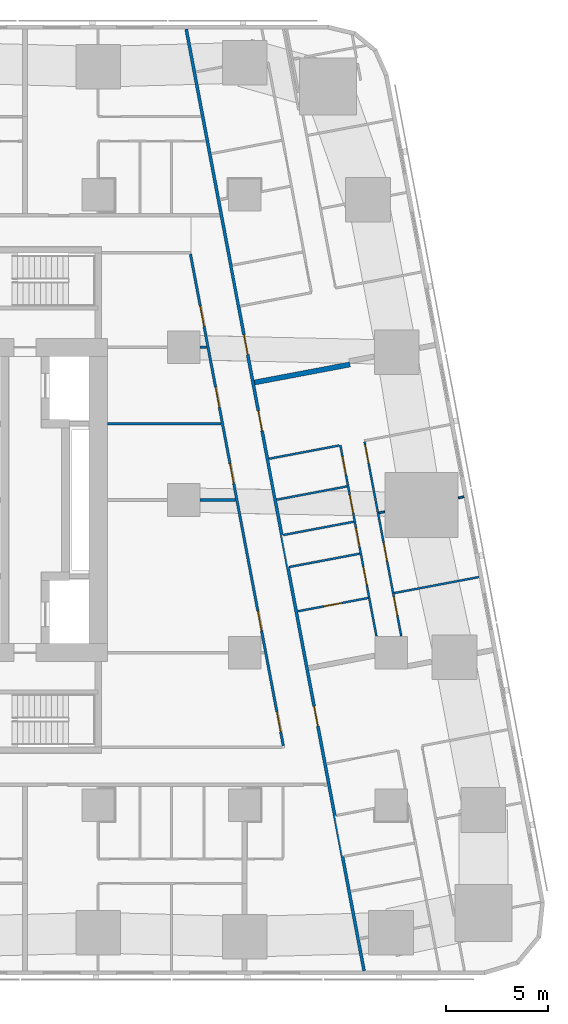
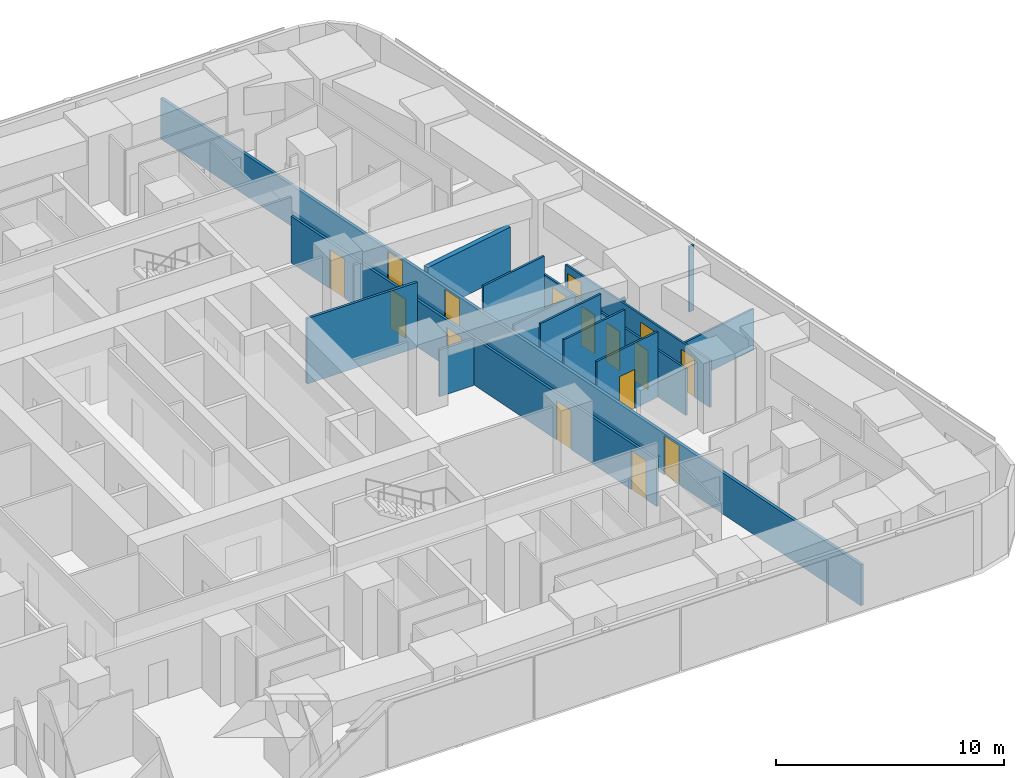
# One storey, part 8 of 16: 16 doors, 16 walls, 16 openings.
"""IFC4 building model written with IfcOpenShell, lengths in metres."""

from ifc_helpers import new_model, si_unit, direction, frame, frame_2d, origin, place, context, subcontext, project, spatial, rectangle, extrude, material, layer, layer_set, type_object, element, fill, save


model = new_model("IFC4")

# Units and contexts
model_context = context("Model", 3, precision=1e-05, world=origin(), true_north=direction((0.0, 1.0)))
body_context = subcontext(model_context, "Body", "Model", "MODEL_VIEW")
ifc_project = project(units=[si_unit("LENGTHUNIT", "METRE"), si_unit("AREAUNIT", "SQUARE_METRE"), si_unit("VOLUMEUNIT", "CUBIC_METRE"), si_unit("PLANEANGLEUNIT", "RADIAN"), si_unit("MASSUNIT", "GRAM", prefix="KILO")], contexts=[model_context])

# Site, building, storey
site_placement = place(None, origin())
site = spatial("IfcSite", under=ifc_project, at=site_placement, CompositionType="ELEMENT")
building_placement = place(site_placement, origin())
building = spatial("IfcBuilding", under=site, at=building_placement, Name="Sheger Commons Tower", CompositionType="ELEMENT")
storey_placement = place(building_placement, frame((0.0, 0.0, 89.14990234375)))
storey = spatial("IfcBuildingStorey", under=building, at=storey_placement, Name="L22", CompositionType="ELEMENT", Elevation=89.14990234375)

# Wall, openings, doors
ifc_material_1 = material(Name="Hollow concrete block masonry, skimmed both sides", Category="masonry")
ifc_layer_1 = layer(ifc_material_1, 0.14990234375)
ifc_layer_set_1 = layer_set([ifc_layer_1], Name="CORRIDOR WALL 150")
wall_type_1 = type_object("IfcWallType", Name="CORRIDOR WALL 150", PredefinedType="SOLIDWALL", material=ifc_layer_set_1)
wall_1_placement = place(storey_placement, frame((33.126953125, 45.64990234375, 0.0), z_axis=(0.0, 0.0, 1.0), x_axis=(0.185598547723, -0.98262565562, 0.0)))
wall_1 = element("IfcWall", 1, at=wall_1_placement, inside=storey, type_object=wall_type_1, Name="Corridor wall L22", PredefinedType="SOLIDWALL", context=body_context, shape_type="SweptSolid", body=[
    extrude(rectangle(XDim=47.118408203125, YDim=0.14990234375, at=frame_2d((23.55908203125, 0.0))), origin(), (0.0, 0.0, 1.0), 2.2001953125),
])
opening_1_placement = place(wall_1_placement, frame((15.284912109375, 0.0, 0.0)))
opening_1 = element("IfcOpeningElement", 2, at=opening_1_placement, cuts=wall_1, Name="Opening D1", PredefinedType="OPENING", context=body_context, shape_type="SweptSolid", body=[
    extrude(rectangle(XDim=1.0, YDim=2.10009765625, at=frame_2d((0.5, 1.050048828125))), frame((0.0, 0.0849609375, 0.0), z_axis=(0.0, -1.0, 0.0), x_axis=(1.0, 0.0, 0.0)), (0.0, 0.0, 1.0), 0.169921875),
])
opening_2_placement = place(wall_1_placement, frame((19.10205078125, 0.0, 0.0)))
opening_2 = element("IfcOpeningElement", 3, at=opening_2_placement, cuts=wall_1, Name="Opening D1", PredefinedType="OPENING", context=body_context, shape_type="SweptSolid", body=[
    extrude(rectangle(XDim=1.0, YDim=2.10009765625, at=frame_2d((0.5, 1.050048828125))), frame((0.0, 0.0849609375, 0.0), z_axis=(0.0, -1.0, 0.0), x_axis=(1.0, 0.0, 0.0)), (0.0, 0.0, 1.0), 0.169921875),
])
opening_3_placement = place(wall_1_placement, frame((33.8798828125, 0.0, 0.0)))
opening_3 = element("IfcOpeningElement", 4, at=opening_3_placement, cuts=wall_1, Name="Opening D1", PredefinedType="OPENING", context=body_context, shape_type="SweptSolid", body=[
    extrude(rectangle(XDim=1.0, YDim=2.10009765625, at=frame_2d((0.5, 1.050048828125))), frame((0.0, 0.0849609375, 0.0), z_axis=(0.0, -1.0, 0.0), x_axis=(1.0, 0.0, 0.0)), (0.0, 0.0, 1.0), 0.169921875),
])
ifc_material_2 = material(Name="Steel door set, fire rated", Category="steel")
door_type_1 = type_object("IfcDoorType", Name="FLAT ENTRANCE DOOR 1000x2100", OperationType="NOTDEFINED", PredefinedType="DOOR", material=ifc_material_2)
door_1_placement = place(opening_1_placement, origin())
door_1 = element("IfcDoor", 5, at=door_1_placement, inside=storey, type_object=door_type_1, Name="Flat entrance door", OperationType="SINGLE_SWING_LEFT", OverallHeight=2.10009765625, OverallWidth=1.0, PredefinedType="DOOR", context=body_context, shape_type="SweptSolid", body=[
    extrude(rectangle(XDim=1.0, YDim=2.10009765625, at=frame_2d((0.5, 1.050048828125))), frame((0.0, 0.02490234375, 0.0), z_axis=(0.0, -1.0, 0.0), x_axis=(1.0, 0.0, 0.0)), (0.0, 0.0, 1.0), 0.050048828125),
])
fill(opening_1, door_1)
door_2_placement = place(opening_2_placement, origin())
door_2 = element("IfcDoor", 6, at=door_2_placement, inside=storey, type_object=door_type_1, Name="Flat entrance door", OperationType="SINGLE_SWING_LEFT", OverallHeight=2.10009765625, OverallWidth=1.0, PredefinedType="DOOR", context=body_context, shape_type="SweptSolid", body=[
    extrude(rectangle(XDim=1.0, YDim=2.10009765625, at=frame_2d((0.5, 1.050048828125))), frame((0.0, 0.02490234375, 0.0), z_axis=(0.0, -1.0, 0.0), x_axis=(1.0, 0.0, 0.0)), (0.0, 0.0, 1.0), 0.050048828125),
])
fill(opening_2, door_2)
door_3_placement = place(opening_3_placement, origin())
door_3 = element("IfcDoor", 7, at=door_3_placement, inside=storey, type_object=door_type_1, Name="Flat entrance door", OperationType="SINGLE_SWING_LEFT", OverallHeight=2.10009765625, OverallWidth=1.0, PredefinedType="DOOR", context=body_context, shape_type="SweptSolid", body=[
    extrude(rectangle(XDim=1.0, YDim=2.10009765625, at=frame_2d((0.5, 1.050048828125))), frame((0.0, 0.02490234375, 0.0), z_axis=(0.0, -1.0, 0.0), x_axis=(1.0, 0.0, 0.0)), (0.0, 0.0, 1.0), 0.050048828125),
])
fill(opening_3, door_3)

# Wall
ifc_material_3 = material(Name="Dense concrete block masonry, plastered both sides (separating wall between flats)", Category="masonry")
ifc_layer_2 = layer(ifc_material_3, 0.25)
ifc_layer_set_2 = layer_set([ifc_layer_2], Name="DEMISING WALL 250")
wall_type_2 = type_object("IfcWallType", Name="DEMISING WALL 250", PredefinedType="SOLIDWALL", material=ifc_layer_set_2)
wall_2_placement = place(storey_placement, frame((41.177001953125, 29.1640625, 0.0), z_axis=(0.0, 0.0, 1.0), x_axis=(-0.982642846239, -0.185507511263, 0.0)))
element("IfcWall", 8, at=wall_2_placement, inside=storey, type_object=wall_type_2, Name="Demising wall L22", PredefinedType="SOLIDWALL", context=body_context, shape_type="SweptSolid", body=[
    extrude(rectangle(XDim=4.776123046875, YDim=0.25, at=frame_2d((2.38818359375, 0.0))), origin(), (0.0, 0.0, 1.0), 2.5),
])

# Wall, openings, doors
ifc_material_4 = material(Name="Gypsum board on steel studs", Category="steel")
ifc_layer_3 = layer(ifc_material_4, 0.10009765625)
ifc_layer_set_3 = layer_set([ifc_layer_3], Name="PARTITION 100")
wall_type_3 = type_object("IfcWallType", Name="PARTITION 100", PredefinedType="PARTITIONING", material=ifc_layer_set_3)
wall_3_placement = place(storey_placement, frame((41.89404296875, 25.365966796875, 0.0), z_axis=(0.0, 0.0, 1.0), x_axis=(0.185599502781, -0.982625475228, 0.0)))
wall_3 = element("IfcWall", 9, at=wall_3_placement, inside=storey, type_object=wall_type_3, Name="Partition L22", PredefinedType="PARTITIONING", context=body_context, shape_type="SweptSolid", body=[
    extrude(rectangle(XDim=9.724853515625, YDim=0.10009765625, at=frame_2d((4.8623046875, 0.0))), origin(), (0.0, 0.0, 1.0), 2.5),
])
opening_4_placement = place(wall_3_placement, frame((0.15087890625, 0.0, 0.0)))
opening_4 = element("IfcOpeningElement", 10, at=opening_4_placement, cuts=wall_3, Name="Opening D2", PredefinedType="OPENING", context=body_context, shape_type="SweptSolid", body=[
    extrude(rectangle(XDim=0.89990234375, YDim=2.10009765625, at=frame_2d((0.449951171875, 1.050048828125))), frame((0.0, 0.06005859375, 0.0), z_axis=(0.0, -1.0, 0.0), x_axis=(1.0, 0.0, 0.0)), (0.0, 0.0, 1.0), 0.1201171875),
])
opening_5_placement = place(wall_3_placement, frame((5.050048828125, 0.0, 0.0)))
opening_5 = element("IfcOpeningElement", 11, at=opening_5_placement, cuts=wall_3, Name="Opening D2", PredefinedType="OPENING", context=body_context, shape_type="SweptSolid", body=[
    extrude(rectangle(XDim=0.89990234375, YDim=2.10009765625, at=frame_2d((0.449951171875, 1.050048828125))), frame((0.0, 0.06005859375, 0.0), z_axis=(0.0, -1.0, 0.0), x_axis=(1.0, 0.0, 0.0)), (0.0, 0.0, 1.0), 0.1201171875),
])
opening_6_placement = place(wall_3_placement, frame((7.782958984375, 0.0, 0.0)))
opening_6 = element("IfcOpeningElement", 12, at=opening_6_placement, cuts=wall_3, Name="Opening D2", PredefinedType="OPENING", context=body_context, shape_type="SweptSolid", body=[
    extrude(rectangle(XDim=0.89990234375, YDim=2.10009765625, at=frame_2d((0.449951171875, 1.050048828125))), frame((0.0, 0.06005859375, 0.0), z_axis=(0.0, -1.0, 0.0), x_axis=(1.0, 0.0, 0.0)), (0.0, 0.0, 1.0), 0.1201171875),
])
ifc_material_5 = material(Name="Timber door set", Category="wood")
door_type_2 = type_object("IfcDoorType", Name="INTERNAL DOOR 900x2100", OperationType="NOTDEFINED", PredefinedType="DOOR", material=ifc_material_5)
door_4_placement = place(opening_4_placement, origin())
door_4 = element("IfcDoor", 13, at=door_4_placement, inside=storey, type_object=door_type_2, Name="Main bedroom door", OperationType="SINGLE_SWING_LEFT", OverallHeight=2.10009765625, OverallWidth=0.89990234375, PredefinedType="DOOR", context=body_context, shape_type="SweptSolid", body=[
    extrude(rectangle(XDim=0.89990234375, YDim=2.10009765625, at=frame_2d((0.449951171875, 1.050048828125))), frame((0.0, 0.02490234375, 0.0), z_axis=(0.0, -1.0, 0.0), x_axis=(1.0, 0.0, 0.0)), (0.0, 0.0, 1.0), 0.050048828125),
])
fill(opening_4, door_4)
door_5_placement = place(opening_5_placement, origin())
door_5 = element("IfcDoor", 14, at=door_5_placement, inside=storey, type_object=door_type_2, Name="Bedroom 2 door", OperationType="SINGLE_SWING_LEFT", OverallHeight=2.10009765625, OverallWidth=0.89990234375, PredefinedType="DOOR", context=body_context, shape_type="SweptSolid", body=[
    extrude(rectangle(XDim=0.89990234375, YDim=2.10009765625, at=frame_2d((0.449951171875, 1.050048828125))), frame((0.0, 0.02490234375, 0.0), z_axis=(0.0, -1.0, 0.0), x_axis=(1.0, 0.0, 0.0)), (0.0, 0.0, 1.0), 0.050048828125),
])
fill(opening_5, door_5)
door_6_placement = place(opening_6_placement, origin())
door_6 = element("IfcDoor", 15, at=door_6_placement, inside=storey, type_object=door_type_2, Name="Bedroom 3 door", OperationType="SINGLE_SWING_LEFT", OverallHeight=2.10009765625, OverallWidth=0.89990234375, PredefinedType="DOOR", context=body_context, shape_type="SweptSolid", body=[
    extrude(rectangle(XDim=0.89990234375, YDim=2.10009765625, at=frame_2d((0.449951171875, 1.050048828125))), frame((0.0, 0.02490234375, 0.0), z_axis=(0.0, -1.0, 0.0), x_axis=(1.0, 0.0, 0.0)), (0.0, 0.0, 1.0), 0.050048828125),
])
fill(opening_6, door_6)

wall_4_placement = place(storey_placement, frame((40.7060546875, 25.19189453125, 0.0), z_axis=(0.0, 0.0, 1.0), x_axis=(0.185591412258, -0.982627003342, 0.0)))
wall_4 = element("IfcWall", 16, at=wall_4_placement, inside=storey, type_object=wall_type_3, Name="Partition L22", PredefinedType="PARTITIONING", context=body_context, shape_type="SweptSolid", body=[
    extrude(rectangle(XDim=9.547607421875, YDim=0.10009765625, at=frame_2d((4.77392578125, 0.0))), origin(), (0.0, 0.0, 1.0), 2.5),
])
opening_7_placement = place(wall_4_placement, frame((0.574951171875, 0.0, 0.0)))
opening_7 = element("IfcOpeningElement", 17, at=opening_7_placement, cuts=wall_4, Name="Opening D2", PredefinedType="OPENING", context=body_context, shape_type="SweptSolid", body=[
    extrude(rectangle(XDim=0.89990234375, YDim=2.10009765625, at=frame_2d((0.449951171875, 1.050048828125))), frame((0.0, 0.06005859375, 0.0), z_axis=(0.0, -1.0, 0.0), x_axis=(1.0, 0.0, 0.0)), (0.0, 0.0, 1.0), 0.1201171875),
])
opening_8_placement = place(wall_4_placement, frame((4.166015625, 0.0, 0.0)))
opening_8 = element("IfcOpeningElement", 18, at=opening_8_placement, cuts=wall_4, Name="Opening D2", PredefinedType="OPENING", context=body_context, shape_type="SweptSolid", body=[
    extrude(rectangle(XDim=0.89990234375, YDim=2.10009765625, at=frame_2d((0.449951171875, 1.050048828125))), frame((0.0, 0.06005859375, 0.0), z_axis=(0.0, -1.0, 0.0), x_axis=(1.0, 0.0, 0.0)), (0.0, 0.0, 1.0), 0.1201171875),
])
opening_9_placement = place(wall_4_placement, frame((2.48291015625, 0.0, 0.0)))
opening_9 = element("IfcOpeningElement", 19, at=opening_9_placement, cuts=wall_4, Name="Opening D2", PredefinedType="OPENING", context=body_context, shape_type="SweptSolid", body=[
    extrude(rectangle(XDim=0.89990234375, YDim=2.10009765625, at=frame_2d((0.449951171875, 1.050048828125))), frame((0.0, 0.06005859375, 0.0), z_axis=(0.0, -1.0, 0.0), x_axis=(1.0, 0.0, 0.0)), (0.0, 0.0, 1.0), 0.1201171875),
])
opening_10_placement = place(wall_4_placement, frame((6.073974609375, 0.0, 0.0)))
opening_10 = element("IfcOpeningElement", 20, at=opening_10_placement, cuts=wall_4, Name="Opening D2", PredefinedType="OPENING", context=body_context, shape_type="SweptSolid", body=[
    extrude(rectangle(XDim=0.89990234375, YDim=2.10009765625, at=frame_2d((0.449951171875, 1.050048828125))), frame((0.0, 0.06005859375, 0.0), z_axis=(0.0, -1.0, 0.0), x_axis=(1.0, 0.0, 0.0)), (0.0, 0.0, 1.0), 0.1201171875),
])
door_7_placement = place(opening_7_placement, origin())
door_7 = element("IfcDoor", 21, at=door_7_placement, inside=storey, type_object=door_type_2, Name="Bathroom door", OperationType="SINGLE_SWING_RIGHT", OverallHeight=2.10009765625, OverallWidth=0.89990234375, PredefinedType="DOOR", context=body_context, shape_type="SweptSolid", body=[
    extrude(rectangle(XDim=0.89990234375, YDim=2.10009765625, at=frame_2d((0.449951171875, 1.050048828125))), frame((0.0, 0.02490234375, 0.0), z_axis=(0.0, -1.0, 0.0), x_axis=(1.0, 0.0, 0.0)), (0.0, 0.0, 1.0), 0.050048828125),
])
fill(opening_7, door_7)
door_8_placement = place(opening_8_placement, origin())
door_8 = element("IfcDoor", 22, at=door_8_placement, inside=storey, type_object=door_type_2, Name="Shower room door", OperationType="SINGLE_SWING_RIGHT", OverallHeight=2.10009765625, OverallWidth=0.89990234375, PredefinedType="DOOR", context=body_context, shape_type="SweptSolid", body=[
    extrude(rectangle(XDim=0.89990234375, YDim=2.10009765625, at=frame_2d((0.449951171875, 1.050048828125))), frame((0.0, 0.02490234375, 0.0), z_axis=(0.0, -1.0, 0.0), x_axis=(1.0, 0.0, 0.0)), (0.0, 0.0, 1.0), 0.050048828125),
])
fill(opening_8, door_8)
door_9_placement = place(opening_9_placement, origin())
door_9 = element("IfcDoor", 23, at=door_9_placement, inside=storey, type_object=door_type_2, Name="Store door", OperationType="SINGLE_SWING_RIGHT", OverallHeight=2.10009765625, OverallWidth=0.89990234375, PredefinedType="DOOR", context=body_context, shape_type="SweptSolid", body=[
    extrude(rectangle(XDim=0.89990234375, YDim=2.10009765625, at=frame_2d((0.449951171875, 1.050048828125))), frame((0.0, 0.02490234375, 0.0), z_axis=(0.0, -1.0, 0.0), x_axis=(1.0, 0.0, 0.0)), (0.0, 0.0, 1.0), 0.050048828125),
])
fill(opening_9, door_9)
door_10_placement = place(opening_10_placement, origin())
door_10 = element("IfcDoor", 24, at=door_10_placement, inside=storey, type_object=door_type_2, Name="Store door", OperationType="SINGLE_SWING_LEFT", OverallHeight=2.10009765625, OverallWidth=0.89990234375, PredefinedType="DOOR", context=body_context, shape_type="SweptSolid", body=[
    extrude(rectangle(XDim=0.89990234375, YDim=2.10009765625, at=frame_2d((0.449951171875, 1.050048828125))), frame((0.0, 0.02490234375, 0.0), z_axis=(0.0, -1.0, 0.0), x_axis=(1.0, 0.0, 0.0)), (0.0, 0.0, 1.0), 0.050048828125),
])
fill(opening_10, door_10)

# Walls
wall_5_placement = place(storey_placement, frame((46.781982421875, 22.656982421875, 0.0), z_axis=(0.0, 0.0, 1.0), x_axis=(-0.982574553168, -0.185868898601, 0.0)))
element("IfcWall", 25, at=wall_5_placement, inside=storey, type_object=wall_type_3, Name="Partition L22", PredefinedType="PARTITIONING", context=body_context, shape_type="SweptSolid", body=[
    extrude(rectangle(XDim=0.27978515625, YDim=0.10009765625, at=frame_2d((0.139892578125, 0.0))), origin(), (0.0, 0.0, 1.0), 3.5),
])
wall_6_placement = place(storey_placement, frame((42.886962890625, 21.9208984375, 0.0), z_axis=(0.0, 0.0, 1.0), x_axis=(-0.982688058078, -0.185267861514, 0.0)))
element("IfcWall", 26, at=wall_6_placement, inside=storey, type_object=wall_type_3, Name="Partition L22", PredefinedType="PARTITIONING", context=body_context, shape_type="SweptSolid", body=[
    extrude(rectangle(XDim=0.285888671875, YDim=0.10009765625, at=frame_2d((0.14306640625, 0.0))), origin(), (0.0, 0.0, 1.0), 2.5),
])
wall_7_placement = place(storey_placement, frame((47.527099609375, 18.7119140625, 0.0), z_axis=(0.0, 0.0, 1.0), x_axis=(-0.982665405803, -0.185387972203, 0.0)))
element("IfcWall", 27, at=wall_7_placement, inside=storey, type_object=wall_type_3, Name="Partition L22", PredefinedType="PARTITIONING", context=body_context, shape_type="SweptSolid", body=[
    extrude(rectangle(XDim=4.249755859375, YDim=0.10009765625, at=frame_2d((2.125, 0.0))), origin(), (0.0, 0.0, 1.0), 2.2001953125),
])
wall_8_placement = place(storey_placement, frame((40.656982421875, 25.18310546875, 0.0), z_axis=(0.0, 0.0, 1.0), x_axis=(-0.982585626838, -0.185810349366, 0.0)))
element("IfcWall", 28, at=wall_8_placement, inside=storey, type_object=wall_type_3, Name="Partition L22", PredefinedType="PARTITIONING", context=body_context, shape_type="SweptSolid", body=[
    extrude(rectangle(XDim=3.525146484375, YDim=0.10009765625, at=frame_2d((1.7626953125, 0.0))), origin(), (0.0, 0.0, 1.0), 3.5),
])
wall_9_placement = place(storey_placement, frame((41.364990234375, 21.43310546875, 0.0), z_axis=(0.0, 0.0, 1.0), x_axis=(-0.982638553676, -0.185530247748, 0.0)))
element("IfcWall", 29, at=wall_9_placement, inside=storey, type_object=wall_type_3, Name="Partition L22", PredefinedType="PARTITIONING", context=body_context, shape_type="SweptSolid", body=[
    extrude(rectangle(XDim=3.525390625, YDim=0.10009765625, at=frame_2d((1.7626953125, 0.0))), origin(), (0.0, 0.0, 1.0), 3.5),
])

# Wall, opening, door
wall_10_placement = place(storey_placement, frame((42.072998046875, 17.681884765625, 0.0), z_axis=(0.0, 0.0, 1.0), x_axis=(-0.98265117712, -0.185463376723, 0.0)))
wall_10 = element("IfcWall", 30, at=wall_10_placement, inside=storey, type_object=wall_type_3, Name="Partition L22", PredefinedType="PARTITIONING", context=body_context, shape_type="SweptSolid", body=[
    extrude(rectangle(XDim=3.525390625, YDim=0.10009765625, at=frame_2d((1.7626953125, 0.0))), origin(), (0.0, 0.0, 1.0), 3.5),
])
opening_11_placement = place(wall_10_placement, frame((1.324951171875, 0.0, 0.0)))
opening_11 = element("IfcOpeningElement", 31, at=opening_11_placement, cuts=wall_10, Name="Opening D2", PredefinedType="OPENING", context=body_context, shape_type="SweptSolid", body=[
    extrude(rectangle(XDim=0.89990234375, YDim=2.10009765625, at=frame_2d((0.449951171875, 1.050048828125))), frame((0.0, 0.06005859375, 0.0), z_axis=(0.0, -1.0, 0.0), x_axis=(1.0, 0.0, 0.0)), (0.0, 0.0, 1.0), 0.1201171875),
])
door_11_placement = place(opening_11_placement, origin())
door_11 = element("IfcDoor", 32, at=door_11_placement, inside=storey, type_object=door_type_2, Name="Store door", OperationType="SINGLE_SWING_RIGHT", OverallHeight=2.10009765625, OverallWidth=0.89990234375, PredefinedType="DOOR", context=body_context, shape_type="SweptSolid", body=[
    extrude(rectangle(XDim=0.89990234375, YDim=2.10009765625, at=frame_2d((0.449951171875, 1.050048828125))), frame((0.0, 0.02490234375, 0.0), z_axis=(0.0, -1.0, 0.0), x_axis=(1.0, 0.0, 0.0)), (0.0, 0.0, 1.0), 0.050048828125),
])
fill(opening_11, door_11)

# Walls
wall_11_placement = place(storey_placement, frame((41.037109375, 23.16796875, 0.0), z_axis=(0.0, 0.0, 1.0), x_axis=(-0.982638553676, -0.185530247748, 0.0)))
element("IfcWall", 33, at=wall_11_placement, inside=storey, type_object=wall_type_3, Name="Partition L22", PredefinedType="PARTITIONING", context=body_context, shape_type="SweptSolid", body=[
    extrude(rectangle(XDim=3.525390625, YDim=0.10009765625, at=frame_2d((1.7626953125, 0.0))), origin(), (0.0, 0.0, 1.0), 2.5),
])
wall_12_placement = place(storey_placement, frame((41.662109375, 19.861083984375, 0.0), z_axis=(0.0, 0.0, 1.0), x_axis=(-0.982588017646, -0.185797706064, 0.0)))
element("IfcWall", 34, at=wall_12_placement, inside=storey, type_object=wall_type_3, Name="Partition L22", PredefinedType="PARTITIONING", context=body_context, shape_type="SweptSolid", body=[
    extrude(rectangle(XDim=3.525390625, YDim=0.10009765625, at=frame_2d((1.7626953125, 0.0))), origin(), (0.0, 0.0, 1.0), 3.5),
])

# Wall, openings, doors
ifc_material_6 = material(Name="Gypsum board on steel studs, two layers each side, fire rated", Category="steel")
ifc_layer_4 = layer(ifc_material_6, 0.125)
ifc_layer_set_4 = layer_set([ifc_layer_4], Name="SERVICE WALL 125")
wall_type_4 = type_object("IfcWallType", Name="SERVICE WALL 125", PredefinedType="PARTITIONING", material=ifc_layer_set_4)
wall_13_placement = place(storey_placement, frame((37.89990234375, 10.4130859375, 0.0), z_axis=(0.0, 0.0, 1.0), x_axis=(-0.185589740669, 0.982627319058, 0.0)))
wall_13 = element("IfcWall", 35, at=wall_13_placement, inside=storey, type_object=wall_type_4, Name="Service room wall L22", PredefinedType="PARTITIONING", context=body_context, shape_type="SweptSolid", body=[
    extrude(rectangle(XDim=24.602294921875, YDim=0.125, at=frame_2d((12.30126953125, 0.0))), origin(), (0.0, 0.0, 1.0), 2.5),
])
opening_12_placement = place(wall_13_placement, frame((0.7080078125, 0.0, 0.0)))
opening_12 = element("IfcOpeningElement", 36, at=opening_12_placement, cuts=wall_13, Name="Opening D4", PredefinedType="OPENING", context=body_context, shape_type="SweptSolid", body=[
    extrude(rectangle(XDim=1.0, YDim=2.10009765625, at=frame_2d((0.5, 1.050048828125))), frame((0.0, 0.072509765625, 0.0), z_axis=(0.0, -1.0, 0.0), x_axis=(1.0, 0.0, 0.0)), (0.0, 0.0, 1.0), 0.14501953125),
])
opening_13_placement = place(wall_13_placement, frame((5.75, 0.0, 0.0)))
opening_13 = element("IfcOpeningElement", 37, at=opening_13_placement, cuts=wall_13, Name="Opening D4", PredefinedType="OPENING", context=body_context, shape_type="SweptSolid", body=[
    extrude(rectangle(XDim=1.0, YDim=2.10009765625, at=frame_2d((0.5, 1.050048828125))), frame((0.0, 0.072509765625, 0.0), z_axis=(0.0, -1.0, 0.0), x_axis=(1.0, 0.0, 0.0)), (0.0, 0.0, 1.0), 0.14501953125),
])
opening_14_placement = place(wall_13_placement, frame((13.1240234375, 0.0, 0.0)))
opening_14 = element("IfcOpeningElement", 38, at=opening_14_placement, cuts=wall_13, Name="Opening D4", PredefinedType="OPENING", context=body_context, shape_type="SweptSolid", body=[
    extrude(rectangle(XDim=1.0, YDim=2.10009765625, at=frame_2d((0.5, 1.050048828125))), frame((0.0, 0.072509765625, 0.0), z_axis=(0.0, -1.0, 0.0), x_axis=(1.0, 0.0, 0.0)), (0.0, 0.0, 1.0), 0.14501953125),
])
opening_15_placement = place(wall_13_placement, frame((16.93994140625, 0.0, 0.0)))
opening_15 = element("IfcOpeningElement", 39, at=opening_15_placement, cuts=wall_13, Name="Opening D4", PredefinedType="OPENING", context=body_context, shape_type="SweptSolid", body=[
    extrude(rectangle(XDim=1.0, YDim=2.10009765625, at=frame_2d((0.5, 1.050048828125))), frame((0.0, 0.072509765625, 0.0), z_axis=(0.0, -1.0, 0.0), x_axis=(1.0, 0.0, 0.0)), (0.0, 0.0, 1.0), 0.14501953125),
])
opening_16_placement = place(wall_13_placement, frame((21.0, 0.0, 0.0)))
opening_16 = element("IfcOpeningElement", 40, at=opening_16_placement, cuts=wall_13, Name="Opening D4", PredefinedType="OPENING", context=body_context, shape_type="SweptSolid", body=[
    extrude(rectangle(XDim=1.0, YDim=2.10009765625, at=frame_2d((0.5, 1.050048828125))), frame((0.0, 0.072509765625, 0.0), z_axis=(0.0, -1.0, 0.0), x_axis=(1.0, 0.0, 0.0)), (0.0, 0.0, 1.0), 0.14501953125),
])
ifc_material_7 = material(Name="Steel door set, fire rated", Category="steel")
door_type_3 = type_object("IfcDoorType", Name="SERVICE DOOR 1000x2100", OperationType="NOTDEFINED", PredefinedType="DOOR", material=ifc_material_7)
door_12_placement = place(opening_12_placement, origin())
door_12 = element("IfcDoor", 41, at=door_12_placement, inside=storey, type_object=door_type_3, Name="Residents' meeting room door", OperationType="SINGLE_SWING_LEFT", OverallHeight=2.10009765625, OverallWidth=1.0, PredefinedType="DOOR", context=body_context, shape_type="SweptSolid", body=[
    extrude(rectangle(XDim=1.0, YDim=2.10009765625, at=frame_2d((0.5, 1.050048828125))), frame((0.0, 0.02490234375, 0.0), z_axis=(0.0, -1.0, 0.0), x_axis=(1.0, 0.0, 0.0)), (0.0, 0.0, 1.0), 0.050048828125),
])
fill(opening_12, door_12)
door_13_placement = place(opening_13_placement, origin())
door_13 = element("IfcDoor", 42, at=door_13_placement, inside=storey, type_object=door_type_3, Name="Children's play room door", OperationType="SINGLE_SWING_LEFT", OverallHeight=2.10009765625, OverallWidth=1.0, PredefinedType="DOOR", context=body_context, shape_type="SweptSolid", body=[
    extrude(rectangle(XDim=1.0, YDim=2.10009765625, at=frame_2d((0.5, 1.050048828125))), frame((0.0, 0.02490234375, 0.0), z_axis=(0.0, -1.0, 0.0), x_axis=(1.0, 0.0, 0.0)), (0.0, 0.0, 1.0), 0.050048828125),
])
fill(opening_13, door_13)
door_14_placement = place(opening_14_placement, origin())
door_14 = element("IfcDoor", 43, at=door_14_placement, inside=storey, type_object=door_type_3, Name="Caretaker's store door", OperationType="SINGLE_SWING_LEFT", OverallHeight=2.10009765625, OverallWidth=1.0, PredefinedType="DOOR", context=body_context, shape_type="SweptSolid", body=[
    extrude(rectangle(XDim=1.0, YDim=2.10009765625, at=frame_2d((0.5, 1.050048828125))), frame((0.0, 0.02490234375, 0.0), z_axis=(0.0, -1.0, 0.0), x_axis=(1.0, 0.0, 0.0)), (0.0, 0.0, 1.0), 0.050048828125),
])
fill(opening_14, door_14)
door_15_placement = place(opening_15_placement, origin())
door_15 = element("IfcDoor", 44, at=door_15_placement, inside=storey, type_object=door_type_3, Name="Residents' store door", OperationType="SINGLE_SWING_LEFT", OverallHeight=2.10009765625, OverallWidth=1.0, PredefinedType="DOOR", context=body_context, shape_type="SweptSolid", body=[
    extrude(rectangle(XDim=1.0, YDim=2.10009765625, at=frame_2d((0.5, 1.050048828125))), frame((0.0, 0.02490234375, 0.0), z_axis=(0.0, -1.0, 0.0), x_axis=(1.0, 0.0, 0.0)), (0.0, 0.0, 1.0), 0.050048828125),
])
fill(opening_15, door_15)
door_16_placement = place(opening_16_placement, origin())
door_16 = element("IfcDoor", 45, at=door_16_placement, inside=storey, type_object=door_type_3, Name="Parcel and delivery room door", OperationType="SINGLE_SWING_LEFT", OverallHeight=2.10009765625, OverallWidth=1.0, PredefinedType="DOOR", context=body_context, shape_type="SweptSolid", body=[
    extrude(rectangle(XDim=1.0, YDim=2.10009765625, at=frame_2d((0.5, 1.050048828125))), frame((0.0, 0.02490234375, 0.0), z_axis=(0.0, -1.0, 0.0), x_axis=(1.0, 0.0, 0.0)), (0.0, 0.0, 1.0), 0.050048828125),
])
fill(opening_16, door_16)

# Walls
wall_14_placement = place(storey_placement, frame((33.801025390625, 22.5, 0.0), z_axis=(0.0, 0.0, 1.0), x_axis=(1.0, 0.0, 0.0)))
element("IfcWall", 46, at=wall_14_placement, inside=storey, type_object=wall_type_4, Name="Service room wall L22", PredefinedType="PARTITIONING", context=body_context, shape_type="SweptSolid", body=[
    extrude(rectangle(XDim=1.740966796875, YDim=0.125, at=frame_2d((0.87060546875, 0.0))), origin(), (0.0, 0.0, 1.0), 2.5),
])
wall_15_placement = place(storey_placement, frame((29.25, 26.25, 0.0), z_axis=(0.0, 0.0, 1.0), x_axis=(1.0, 0.0, 0.0)))
element("IfcWall", 47, at=wall_15_placement, inside=storey, type_object=wall_type_4, Name="Service room wall L22", PredefinedType="PARTITIONING", context=body_context, shape_type="SweptSolid", body=[
    extrude(rectangle(XDim=5.5830078125, YDim=0.125, at=frame_2d((2.79150390625, 0.0))), origin(), (0.0, 0.0, 1.0), 3.5),
])
wall_16_placement = place(storey_placement, frame((33.801025390625, 30.0, 0.0), z_axis=(0.0, 0.0, 1.0), x_axis=(1.0, 0.0, 0.0)))
element("IfcWall", 48, at=wall_16_placement, inside=storey, type_object=wall_type_4, Name="Service room wall L22", PredefinedType="PARTITIONING", context=body_context, shape_type="SweptSolid", body=[
    extrude(rectangle(XDim=0.323974609375, YDim=0.125, at=frame_2d((0.162109375, 0.0))), origin(), (0.0, 0.0, 1.0), 2.5),
])

save(model, "model.ifc")
